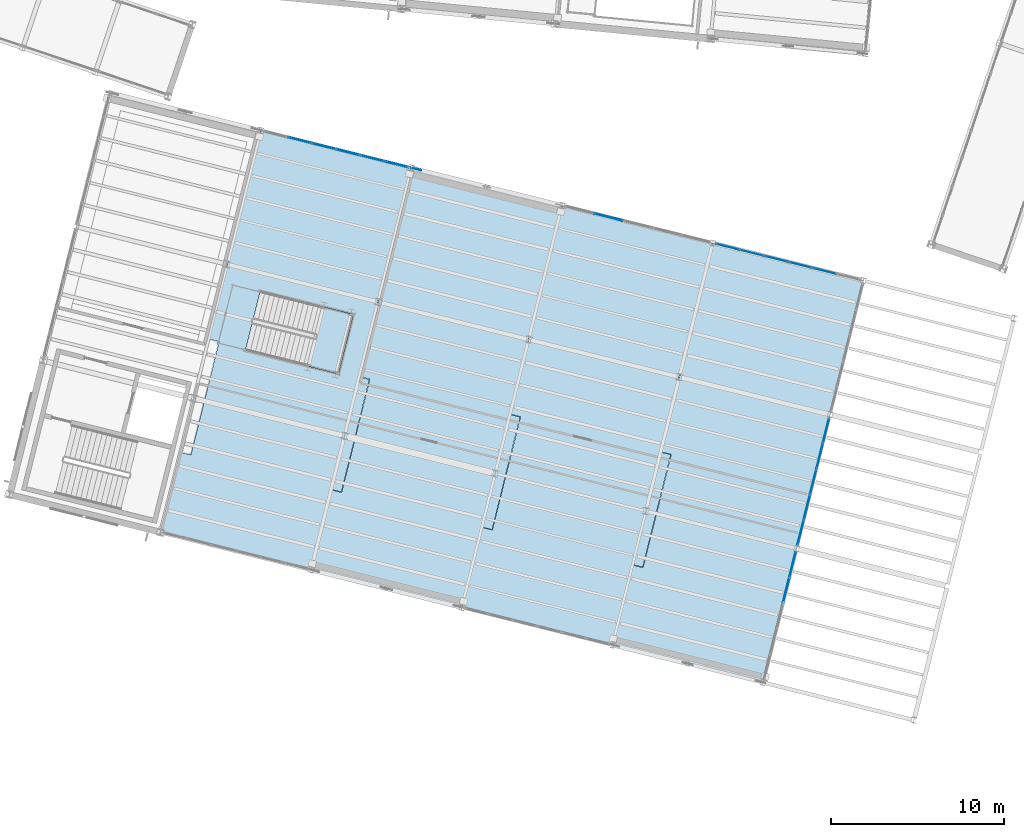
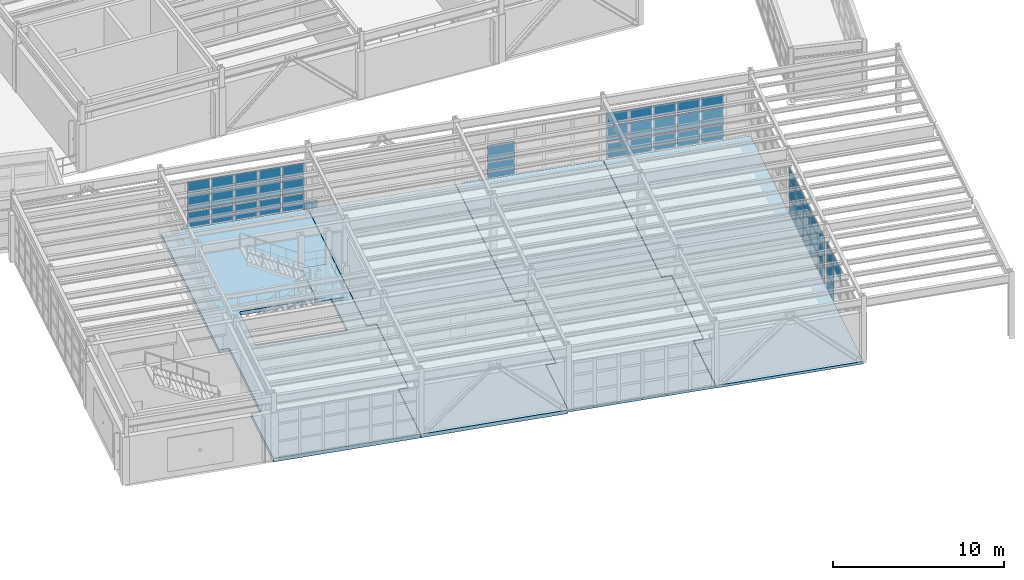
# One storey, part 63 of 102: 52 plates, 5 slabs, 6 elements without a shape of their own.
"""IFC4 building model written with IfcOpenShell, lengths in metres."""

from ifc_helpers import new_model, si_unit, direction, frame, origin, origin_2d, place, context, subcontext, project, spatial, polyline, rectangle, outline, extrude, material, layer, layer_set, type_object, element, aggregate, save


model = new_model("IFC4")

# Units and contexts
model_context = context("Model", 3, precision=1e-05, world=origin(), true_north=direction((0.0, 1.0)))
body_context = subcontext(model_context, "Body", "Model", "MODEL_VIEW")
ifc_project = project(units=[si_unit("LENGTHUNIT", "METRE"), si_unit("AREAUNIT", "SQUARE_METRE"), si_unit("VOLUMEUNIT", "CUBIC_METRE"), si_unit("PLANEANGLEUNIT", "RADIAN"), si_unit("MASSUNIT", "GRAM", prefix="KILO")], contexts=[model_context])

# Site, building, storey
site_placement = place(None, origin())
site = spatial("IfcSite", under=ifc_project, at=site_placement, CompositionType="ELEMENT")
building_placement = place(site_placement, origin())
building = spatial("IfcBuilding", under=site, at=building_placement, Name="Vireo Bluff Cable Station", CompositionType="ELEMENT")
storey_placement = place(building_placement, frame((0.0, 0.0, 9.60009765625)))
storey = spatial("IfcBuildingStorey", under=building, at=storey_placement, Name="L02", CompositionType="ELEMENT", Elevation=9.60009765625)

# Curtain wall, plates
ifc_material_1 = material(Name="Anodized Aluminium 6063-T6", Category="aluminium")
ifc_layer_1 = layer(ifc_material_1, 0.179931640625, Name="Anodized Aluminium 6063-T6")
ifc_layer_set_1 = layer_set([ifc_layer_1], Name="Anodized Aluminium 6063-T6")
curtain_wall_type_1 = type_object("IfcCurtainWallType", Name="CW-UNIT-1400", PredefinedType="USERDEFINED", material=ifc_layer_set_1)
curtain_wall_1_placement = place(storey_placement, origin())
curtain_wall_1 = element("IfcCurtainWall", 1, at=curtain_wall_1_placement, inside=storey, type_object=curtain_wall_type_1, Name="V1 L02 north curtain wall CW-015", ObjectType="UNITISED CURTAIN WALL", PredefinedType="USERDEFINED")
ifc_material_2 = material(Name="Laminated Low-E Insulated Glass", Category="glass")
ifc_layer_2 = layer(ifc_material_2, 0.028076171875, Name="Laminated Low-E Insulated Glass")
ifc_layer_set_2 = layer_set([ifc_layer_2], Name="Laminated Low-E Insulated Glass")
plate_type_1 = type_object("IfcPlateType", Name="CWP-28-1", PredefinedType="CURTAIN_PANEL", material=ifc_layer_set_2)
plate_1_placement = place(storey_placement, frame((95.5859375, 52.3662109375, 0.080078125), z_axis=(0.0, 0.0, 1.0), x_axis=(0.970295736701, -0.241921853788, 0.0)))
plate_1 = element("IfcPlate", 2, at=plate_1_placement, type_object=plate_type_1, Name="CW-015 panel 1.1", PredefinedType="CURTAIN_PANEL", context=body_context, shape_type="SweptSolid", body=[
    extrude(rectangle(XDim=1.33203125, YDim=0.028076171875, at=origin_2d()), origin(), (0.0, 0.0, 1.0), 1.070068359375),
])
plate_2_placement = place(storey_placement, frame((95.5859375, 52.3662109375, 1.22998046875), z_axis=(0.0, 0.0, 1.0), x_axis=(0.970295736701, -0.241921853788, 0.0)))
plate_2 = element("IfcPlate", 3, at=plate_2_placement, type_object=plate_type_1, Name="CW-015 panel 1.2", PredefinedType="CURTAIN_PANEL", context=body_context, shape_type="SweptSolid", body=[
    extrude(rectangle(XDim=1.33203125, YDim=0.028076171875, at=origin_2d()), origin(), (0.0, 0.0, 1.0), 1.177978515625),
])
plate_3_placement = place(storey_placement, frame((95.5859375, 52.3662109375, 2.48779296875), z_axis=(0.0, 0.0, 1.0), x_axis=(0.970295736701, -0.241921853788, 0.0)))
plate_3 = element("IfcPlate", 4, at=plate_3_placement, type_object=plate_type_1, Name="CW-015 panel 1.3", PredefinedType="CURTAIN_PANEL", context=body_context, shape_type="SweptSolid", body=[
    extrude(rectangle(XDim=1.33203125, YDim=0.028076171875, at=origin_2d()), origin(), (0.0, 0.0, 1.0), 0.83203125),
])
plate_4_placement = place(storey_placement, frame((96.975341796875, 52.019775390625, 0.080078125), z_axis=(0.0, 0.0, 1.0), x_axis=(0.970295736701, -0.241921853788, 0.0)))
plate_4 = element("IfcPlate", 5, at=plate_4_placement, type_object=plate_type_1, Name="CW-015 panel 2.1", PredefinedType="CURTAIN_PANEL", context=body_context, shape_type="SweptSolid", body=[
    extrude(rectangle(XDim=1.3720703125, YDim=0.028076171875, at=origin_2d()), origin(), (0.0, 0.0, 1.0), 1.070068359375),
])
plate_5_placement = place(storey_placement, frame((96.975341796875, 52.019775390625, 1.22998046875), z_axis=(0.0, 0.0, 1.0), x_axis=(0.970295736701, -0.241921853788, 0.0)))
plate_5 = element("IfcPlate", 6, at=plate_5_placement, type_object=plate_type_1, Name="CW-015 panel 2.2", PredefinedType="CURTAIN_PANEL", context=body_context, shape_type="SweptSolid", body=[
    extrude(rectangle(XDim=1.3720703125, YDim=0.028076171875, at=origin_2d()), origin(), (0.0, 0.0, 1.0), 1.177978515625),
])
plate_6_placement = place(storey_placement, frame((96.975341796875, 52.019775390625, 2.48779296875), z_axis=(0.0, 0.0, 1.0), x_axis=(0.970295736701, -0.241921853788, 0.0)))
plate_6 = element("IfcPlate", 7, at=plate_6_placement, type_object=plate_type_1, Name="CW-015 panel 2.3", PredefinedType="CURTAIN_PANEL", context=body_context, shape_type="SweptSolid", body=[
    extrude(rectangle(XDim=1.3720703125, YDim=0.028076171875, at=origin_2d()), origin(), (0.0, 0.0, 1.0), 0.83203125),
])
plate_7_placement = place(storey_placement, frame((98.38427734375, 51.66845703125, 0.080078125), z_axis=(0.0, 0.0, 1.0), x_axis=(0.970295736701, -0.241921853788, 0.0)))
plate_7 = element("IfcPlate", 8, at=plate_7_placement, type_object=plate_type_1, Name="CW-015 panel 3.1", PredefinedType="CURTAIN_PANEL", context=body_context, shape_type="SweptSolid", body=[
    extrude(rectangle(XDim=1.3720703125, YDim=0.028076171875, at=origin_2d()), origin(), (0.0, 0.0, 1.0), 1.070068359375),
])
plate_8_placement = place(storey_placement, frame((98.38427734375, 51.66845703125, 1.22998046875), z_axis=(0.0, 0.0, 1.0), x_axis=(0.970295736701, -0.241921853788, 0.0)))
plate_8 = element("IfcPlate", 9, at=plate_8_placement, type_object=plate_type_1, Name="CW-015 panel 3.2", PredefinedType="CURTAIN_PANEL", context=body_context, shape_type="SweptSolid", body=[
    extrude(rectangle(XDim=1.3720703125, YDim=0.028076171875, at=origin_2d()), origin(), (0.0, 0.0, 1.0), 1.177978515625),
])
plate_9_placement = place(storey_placement, frame((98.38427734375, 51.66845703125, 2.48779296875), z_axis=(0.0, 0.0, 1.0), x_axis=(0.970295736701, -0.241921853788, 0.0)))
plate_9 = element("IfcPlate", 10, at=plate_9_placement, type_object=plate_type_1, Name="CW-015 panel 3.3", PredefinedType="CURTAIN_PANEL", context=body_context, shape_type="SweptSolid", body=[
    extrude(rectangle(XDim=1.3720703125, YDim=0.028076171875, at=origin_2d()), origin(), (0.0, 0.0, 1.0), 0.83203125),
])
plate_10_placement = place(storey_placement, frame((99.793212890625, 51.317138671875, 0.080078125), z_axis=(0.0, 0.0, 1.0), x_axis=(0.970295736701, -0.241921853788, 0.0)))
plate_10 = element("IfcPlate", 11, at=plate_10_placement, type_object=plate_type_1, Name="CW-015 panel 4.1", PredefinedType="CURTAIN_PANEL", context=body_context, shape_type="SweptSolid", body=[
    extrude(rectangle(XDim=1.3720703125, YDim=0.028076171875, at=origin_2d()), origin(), (0.0, 0.0, 1.0), 1.070068359375),
])
plate_11_placement = place(storey_placement, frame((99.793212890625, 51.317138671875, 1.22998046875), z_axis=(0.0, 0.0, 1.0), x_axis=(0.970295736701, -0.241921853788, 0.0)))
plate_11 = element("IfcPlate", 12, at=plate_11_placement, type_object=plate_type_1, Name="CW-015 panel 4.2", PredefinedType="CURTAIN_PANEL", context=body_context, shape_type="SweptSolid", body=[
    extrude(rectangle(XDim=1.3720703125, YDim=0.028076171875, at=origin_2d()), origin(), (0.0, 0.0, 1.0), 1.177978515625),
])
plate_12_placement = place(storey_placement, frame((99.793212890625, 51.317138671875, 2.48779296875), z_axis=(0.0, 0.0, 1.0), x_axis=(0.970295736701, -0.241921853788, 0.0)))
plate_12 = element("IfcPlate", 13, at=plate_12_placement, type_object=plate_type_1, Name="CW-015 panel 4.3", PredefinedType="CURTAIN_PANEL", context=body_context, shape_type="SweptSolid", body=[
    extrude(rectangle(XDim=1.3720703125, YDim=0.028076171875, at=origin_2d()), origin(), (0.0, 0.0, 1.0), 0.83203125),
])
plate_13_placement = place(storey_placement, frame((101.2021484375, 50.9658203125, 0.080078125), z_axis=(0.0, 0.0, 1.0), x_axis=(0.970295736701, -0.241921853788, 0.0)))
plate_13 = element("IfcPlate", 14, at=plate_13_placement, type_object=plate_type_1, Name="CW-015 panel 5.1", PredefinedType="CURTAIN_PANEL", context=body_context, shape_type="SweptSolid", body=[
    extrude(rectangle(XDim=1.3720703125, YDim=0.028076171875, at=origin_2d()), origin(), (0.0, 0.0, 1.0), 1.070068359375),
])
plate_14_placement = place(storey_placement, frame((101.2021484375, 50.9658203125, 1.22998046875), z_axis=(0.0, 0.0, 1.0), x_axis=(0.970295736701, -0.241921853788, 0.0)))
plate_14 = element("IfcPlate", 15, at=plate_14_placement, type_object=plate_type_1, Name="CW-015 panel 5.2", PredefinedType="CURTAIN_PANEL", context=body_context, shape_type="SweptSolid", body=[
    extrude(rectangle(XDim=1.3720703125, YDim=0.028076171875, at=origin_2d()), origin(), (0.0, 0.0, 1.0), 1.177978515625),
])
plate_15_placement = place(storey_placement, frame((101.2021484375, 50.9658203125, 2.48779296875), z_axis=(0.0, 0.0, 1.0), x_axis=(0.970295736701, -0.241921853788, 0.0)))
plate_15 = element("IfcPlate", 16, at=plate_15_placement, type_object=plate_type_1, Name="CW-015 panel 5.3", PredefinedType="CURTAIN_PANEL", context=body_context, shape_type="SweptSolid", body=[
    extrude(rectangle(XDim=1.3720703125, YDim=0.028076171875, at=origin_2d()), origin(), (0.0, 0.0, 1.0), 0.83203125),
])
aggregate(curtain_wall_1, [plate_1, plate_2, plate_3, plate_4, plate_5, plate_6, plate_7, plate_8, plate_9, plate_10, plate_11, plate_12, plate_13, plate_14, plate_15])

ifc_layer_3 = layer(ifc_material_1, 0.179931640625, Name="Anodized Aluminium 6063-T6")
ifc_layer_set_3 = layer_set([ifc_layer_3], Name="Anodized Aluminium 6063-T6")
curtain_wall_type_2 = type_object("IfcCurtainWallType", Name="CW-UNIT-1650", PredefinedType="USERDEFINED", material=ifc_layer_set_3)
curtain_wall_2_placement = place(storey_placement, origin())
curtain_wall_2 = element("IfcCurtainWall", 17, at=curtain_wall_2_placement, inside=storey, type_object=curtain_wall_type_2, Name="V1 L02 east curtain wall CW-017", ObjectType="UNITISED CURTAIN WALL", PredefinedType="USERDEFINED")
ifc_layer_4 = layer(ifc_material_2, 0.035888671875, Name="Laminated Low-E Insulated Glass")
ifc_layer_set_4 = layer_set([ifc_layer_4], Name="Laminated Low-E Insulated Glass")
plate_type_2 = type_object("IfcPlateType", Name="CWP-36-3", PredefinedType="CURTAIN_PANEL", material=ifc_layer_set_4)
plate_16_placement = place(storey_placement, frame((101.304443359375, 41.71728515625, 0.0751953125), z_axis=(0.0, 0.0, 1.0), x_axis=(-0.241921872517, -0.970295732031, 0.0)))
plate_16 = element("IfcPlate", 18, at=plate_16_placement, type_object=plate_type_2, Name="CW-017 panel 1.1", PredefinedType="CURTAIN_PANEL", context=body_context, shape_type="SweptSolid", body=[
    extrude(rectangle(XDim=1.421142578125, YDim=0.035888671875, at=origin_2d()), origin(), (0.0, 0.0, 1.0), 1.077392578125),
])
plate_17_placement = place(storey_placement, frame((101.304443359375, 41.71728515625, 1.227294921875), z_axis=(0.0, 0.0, 1.0), x_axis=(-0.241921872517, -0.970295732031, 0.0)))
plate_17 = element("IfcPlate", 19, at=plate_17_placement, type_object=plate_type_2, Name="CW-017 panel 1.2", PredefinedType="CURTAIN_PANEL", context=body_context, shape_type="SweptSolid", body=[
    extrude(rectangle(XDim=1.421142578125, YDim=0.035888671875, at=origin_2d()), origin(), (0.0, 0.0, 1.0), 1.18310546875),
])
plate_18_placement = place(storey_placement, frame((101.304443359375, 41.71728515625, 2.4853515625), z_axis=(0.0, 0.0, 1.0), x_axis=(-0.241921872517, -0.970295732031, 0.0)))
plate_18 = element("IfcPlate", 20, at=plate_18_placement, type_object=plate_type_2, Name="CW-017 panel 1.3", PredefinedType="CURTAIN_PANEL", context=body_context, shape_type="SweptSolid", body=[
    extrude(rectangle(XDim=1.421142578125, YDim=0.035888671875, at=origin_2d()), origin(), (0.0, 0.0, 1.0), 0.839599609375),
])
plate_19_placement = place(storey_placement, frame((100.93798828125, 40.24755859375, 0.0751953125), z_axis=(0.0, 0.0, 1.0), x_axis=(-0.241921872517, -0.970295732031, 0.0)))
plate_19 = element("IfcPlate", 21, at=plate_19_placement, type_object=plate_type_2, Name="CW-017 panel 2.1", PredefinedType="CURTAIN_PANEL", context=body_context, shape_type="SweptSolid", body=[
    extrude(rectangle(XDim=1.45849609375, YDim=0.035888671875, at=origin_2d()), origin(), (0.0, 0.0, 1.0), 1.077392578125),
])
plate_20_placement = place(storey_placement, frame((100.93798828125, 40.24755859375, 1.227294921875), z_axis=(0.0, 0.0, 1.0), x_axis=(-0.241921872517, -0.970295732031, 0.0)))
plate_20 = element("IfcPlate", 22, at=plate_20_placement, type_object=plate_type_2, Name="CW-017 panel 2.2", PredefinedType="CURTAIN_PANEL", context=body_context, shape_type="SweptSolid", body=[
    extrude(rectangle(XDim=1.45849609375, YDim=0.035888671875, at=origin_2d()), origin(), (0.0, 0.0, 1.0), 1.18310546875),
])
plate_21_placement = place(storey_placement, frame((100.93798828125, 40.24755859375, 2.4853515625), z_axis=(0.0, 0.0, 1.0), x_axis=(-0.241921872517, -0.970295732031, 0.0)))
plate_21 = element("IfcPlate", 23, at=plate_21_placement, type_object=plate_type_2, Name="CW-017 panel 2.3", PredefinedType="CURTAIN_PANEL", context=body_context, shape_type="SweptSolid", body=[
    extrude(rectangle(XDim=1.45849609375, YDim=0.035888671875, at=origin_2d()), origin(), (0.0, 0.0, 1.0), 0.839599609375),
])
plate_22_placement = place(storey_placement, frame((100.56689453125, 38.759521484375, 0.0751953125), z_axis=(0.0, 0.0, 1.0), x_axis=(-0.241921872517, -0.970295732031, 0.0)))
plate_22 = element("IfcPlate", 24, at=plate_22_placement, type_object=plate_type_2, Name="CW-017 panel 3.1", PredefinedType="CURTAIN_PANEL", context=body_context, shape_type="SweptSolid", body=[
    extrude(rectangle(XDim=1.45849609375, YDim=0.035888671875, at=origin_2d()), origin(), (0.0, 0.0, 1.0), 1.077392578125),
])
plate_23_placement = place(storey_placement, frame((100.56689453125, 38.759521484375, 1.227294921875), z_axis=(0.0, 0.0, 1.0), x_axis=(-0.241921872517, -0.970295732031, 0.0)))
plate_23 = element("IfcPlate", 25, at=plate_23_placement, type_object=plate_type_2, Name="CW-017 panel 3.2", PredefinedType="CURTAIN_PANEL", context=body_context, shape_type="SweptSolid", body=[
    extrude(rectangle(XDim=1.45849609375, YDim=0.035888671875, at=origin_2d()), origin(), (0.0, 0.0, 1.0), 1.18310546875),
])
plate_24_placement = place(storey_placement, frame((100.56689453125, 38.759521484375, 2.4853515625), z_axis=(0.0, 0.0, 1.0), x_axis=(-0.241921872517, -0.970295732031, 0.0)))
plate_24 = element("IfcPlate", 26, at=plate_24_placement, type_object=plate_type_2, Name="CW-017 panel 3.3", PredefinedType="CURTAIN_PANEL", context=body_context, shape_type="SweptSolid", body=[
    extrude(rectangle(XDim=1.45849609375, YDim=0.035888671875, at=origin_2d()), origin(), (0.0, 0.0, 1.0), 0.839599609375),
])
plate_25_placement = place(storey_placement, frame((100.196044921875, 37.271484375, 0.0751953125), z_axis=(0.0, 0.0, 1.0), x_axis=(-0.241921872517, -0.970295732031, 0.0)))
plate_25 = element("IfcPlate", 27, at=plate_25_placement, type_object=plate_type_2, Name="CW-017 panel 4.1", PredefinedType="CURTAIN_PANEL", context=body_context, shape_type="SweptSolid", body=[
    extrude(rectangle(XDim=1.45849609375, YDim=0.035888671875, at=origin_2d()), origin(), (0.0, 0.0, 1.0), 1.077392578125),
])
plate_26_placement = place(storey_placement, frame((100.196044921875, 37.271484375, 1.227294921875), z_axis=(0.0, 0.0, 1.0), x_axis=(-0.241921872517, -0.970295732031, 0.0)))
plate_26 = element("IfcPlate", 28, at=plate_26_placement, type_object=plate_type_2, Name="CW-017 panel 4.2", PredefinedType="CURTAIN_PANEL", context=body_context, shape_type="SweptSolid", body=[
    extrude(rectangle(XDim=1.45849609375, YDim=0.035888671875, at=origin_2d()), origin(), (0.0, 0.0, 1.0), 1.18310546875),
])
plate_27_placement = place(storey_placement, frame((100.196044921875, 37.271484375, 2.4853515625), z_axis=(0.0, 0.0, 1.0), x_axis=(-0.241921872517, -0.970295732031, 0.0)))
plate_27 = element("IfcPlate", 29, at=plate_27_placement, type_object=plate_type_2, Name="CW-017 panel 4.3", PredefinedType="CURTAIN_PANEL", context=body_context, shape_type="SweptSolid", body=[
    extrude(rectangle(XDim=1.45849609375, YDim=0.035888671875, at=origin_2d()), origin(), (0.0, 0.0, 1.0), 0.839599609375),
])
plate_28_placement = place(storey_placement, frame((99.82958984375, 35.801513671875, 0.0751953125), z_axis=(0.0, 0.0, 1.0), x_axis=(-0.241921872517, -0.970295732031, 0.0)))
plate_28 = element("IfcPlate", 30, at=plate_28_placement, type_object=plate_type_2, Name="CW-017 panel 5.1", PredefinedType="CURTAIN_PANEL", context=body_context, shape_type="SweptSolid", body=[
    extrude(rectangle(XDim=1.421142578125, YDim=0.035888671875, at=origin_2d()), origin(), (0.0, 0.0, 1.0), 1.077392578125),
])
plate_29_placement = place(storey_placement, frame((99.82958984375, 35.801513671875, 1.227294921875), z_axis=(0.0, 0.0, 1.0), x_axis=(-0.241921872517, -0.970295732031, 0.0)))
plate_29 = element("IfcPlate", 31, at=plate_29_placement, type_object=plate_type_2, Name="CW-017 panel 5.2", PredefinedType="CURTAIN_PANEL", context=body_context, shape_type="SweptSolid", body=[
    extrude(rectangle(XDim=1.421142578125, YDim=0.035888671875, at=origin_2d()), origin(), (0.0, 0.0, 1.0), 1.18310546875),
])
plate_30_placement = place(storey_placement, frame((99.82958984375, 35.801513671875, 2.4853515625), z_axis=(0.0, 0.0, 1.0), x_axis=(-0.241921872517, -0.970295732031, 0.0)))
plate_30 = element("IfcPlate", 32, at=plate_30_placement, type_object=plate_type_2, Name="CW-017 panel 5.3", PredefinedType="CURTAIN_PANEL", context=body_context, shape_type="SweptSolid", body=[
    extrude(rectangle(XDim=1.421142578125, YDim=0.035888671875, at=origin_2d()), origin(), (0.0, 0.0, 1.0), 0.839599609375),
])
aggregate(curtain_wall_2, [plate_16, plate_17, plate_18, plate_19, plate_20, plate_21, plate_22, plate_23, plate_24, plate_25, plate_26, plate_27, plate_28, plate_29, plate_30])

ifc_layer_5 = layer(ifc_material_1, 0.179931640625, Name="Anodized Aluminium 6063-T6")
ifc_layer_set_5 = layer_set([ifc_layer_5], Name="Anodized Aluminium 6063-T6")
curtain_wall_type_3 = type_object("IfcCurtainWallType", Name="CW-UNIT-1500", PredefinedType="USERDEFINED", material=ifc_layer_set_5)
curtain_wall_3_placement = place(storey_placement, origin())
curtain_wall_3 = element("IfcCurtainWall", 33, at=curtain_wall_3_placement, inside=storey, type_object=curtain_wall_type_3, Name="V1 L02 north curtain wall CW-013", ObjectType="UNITISED CURTAIN WALL", PredefinedType="USERDEFINED")
ifc_material_3 = material(Name="Insulated Spandrel Glass Panel", Category="glass")
ifc_layer_6 = layer(ifc_material_3, 0.0419921875, Name="Insulated Spandrel Glass Panel")
ifc_layer_set_6 = layer_set([ifc_layer_6], Name="Insulated Spandrel Glass Panel")
plate_type_3 = type_object("IfcPlateType", Name="CWP-42-4", PredefinedType="CURTAIN_PANEL", material=ifc_layer_set_6)
plate_31_placement = place(storey_placement, frame((70.798828125, 58.54638671875, 0.0751953125), z_axis=(0.0, 0.0, 1.0), x_axis=(0.970295722805, -0.24192190952, 0.0)))
plate_31 = element("IfcPlate", 34, at=plate_31_placement, type_object=plate_type_3, Name="CW-013 panel 2.1", PredefinedType="CURTAIN_PANEL", context=body_context, shape_type="SweptSolid", body=[
    extrude(rectangle(XDim=1.3720703125, YDim=0.0419921875, at=origin_2d()), origin(), (0.0, 0.0, 1.0), 1.077392578125),
])
plate_32_placement = place(storey_placement, frame((70.798828125, 58.54638671875, 1.227294921875), z_axis=(0.0, 0.0, 1.0), x_axis=(0.970295722805, -0.24192190952, 0.0)))
plate_32 = element("IfcPlate", 35, at=plate_32_placement, type_object=plate_type_3, Name="CW-013 panel 2.2", PredefinedType="CURTAIN_PANEL", context=body_context, shape_type="SweptSolid", body=[
    extrude(rectangle(XDim=1.3720703125, YDim=0.0419921875, at=origin_2d()), origin(), (0.0, 0.0, 1.0), 1.18310546875),
])
plate_33_placement = place(storey_placement, frame((70.798828125, 58.54638671875, 2.4853515625), z_axis=(0.0, 0.0, 1.0), x_axis=(0.970295722805, -0.24192190952, 0.0)))
plate_33 = element("IfcPlate", 36, at=plate_33_placement, type_object=plate_type_3, Name="CW-013 panel 2.3", PredefinedType="CURTAIN_PANEL", context=body_context, shape_type="SweptSolid", body=[
    extrude(rectangle(XDim=1.3720703125, YDim=0.0419921875, at=origin_2d()), origin(), (0.0, 0.0, 1.0), 0.839599609375),
])
plate_34_placement = place(storey_placement, frame((72.203125, 58.1962890625, 0.0751953125), z_axis=(0.0, 0.0, 1.0), x_axis=(0.970295722805, -0.24192190952, 0.0)))
plate_34 = element("IfcPlate", 37, at=plate_34_placement, type_object=plate_type_3, Name="CW-013 panel 3.1", PredefinedType="CURTAIN_PANEL", context=body_context, shape_type="SweptSolid", body=[
    extrude(rectangle(XDim=1.3720703125, YDim=0.0419921875, at=origin_2d()), origin(), (0.0, 0.0, 1.0), 1.077392578125),
])
plate_35_placement = place(storey_placement, frame((72.203125, 58.1962890625, 1.227294921875), z_axis=(0.0, 0.0, 1.0), x_axis=(0.970295722805, -0.24192190952, 0.0)))
plate_35 = element("IfcPlate", 38, at=plate_35_placement, type_object=plate_type_3, Name="CW-013 panel 3.2", PredefinedType="CURTAIN_PANEL", context=body_context, shape_type="SweptSolid", body=[
    extrude(rectangle(XDim=1.3720703125, YDim=0.0419921875, at=origin_2d()), origin(), (0.0, 0.0, 1.0), 1.18310546875),
])
plate_36_placement = place(storey_placement, frame((72.203125, 58.1962890625, 2.4853515625), z_axis=(0.0, 0.0, 1.0), x_axis=(0.970295722805, -0.24192190952, 0.0)))
plate_36 = element("IfcPlate", 39, at=plate_36_placement, type_object=plate_type_3, Name="CW-013 panel 3.3", PredefinedType="CURTAIN_PANEL", context=body_context, shape_type="SweptSolid", body=[
    extrude(rectangle(XDim=1.3720703125, YDim=0.0419921875, at=origin_2d()), origin(), (0.0, 0.0, 1.0), 0.839599609375),
])
plate_37_placement = place(storey_placement, frame((73.607177734375, 57.84619140625, 0.0751953125), z_axis=(0.0, 0.0, 1.0), x_axis=(0.970295722805, -0.24192190952, 0.0)))
plate_37 = element("IfcPlate", 40, at=plate_37_placement, type_object=plate_type_3, Name="CW-013 panel 4.1", PredefinedType="CURTAIN_PANEL", context=body_context, shape_type="SweptSolid", body=[
    extrude(rectangle(XDim=1.3720703125, YDim=0.0419921875, at=origin_2d()), origin(), (0.0, 0.0, 1.0), 1.077392578125),
])
plate_38_placement = place(storey_placement, frame((73.607177734375, 57.84619140625, 1.227294921875), z_axis=(0.0, 0.0, 1.0), x_axis=(0.970295722805, -0.24192190952, 0.0)))
plate_38 = element("IfcPlate", 41, at=plate_38_placement, type_object=plate_type_3, Name="CW-013 panel 4.2", PredefinedType="CURTAIN_PANEL", context=body_context, shape_type="SweptSolid", body=[
    extrude(rectangle(XDim=1.3720703125, YDim=0.0419921875, at=origin_2d()), origin(), (0.0, 0.0, 1.0), 1.18310546875),
])
plate_39_placement = place(storey_placement, frame((73.607177734375, 57.84619140625, 2.4853515625), z_axis=(0.0, 0.0, 1.0), x_axis=(0.970295722805, -0.24192190952, 0.0)))
plate_39 = element("IfcPlate", 42, at=plate_39_placement, type_object=plate_type_3, Name="CW-013 panel 4.3", PredefinedType="CURTAIN_PANEL", context=body_context, shape_type="SweptSolid", body=[
    extrude(rectangle(XDim=1.3720703125, YDim=0.0419921875, at=origin_2d()), origin(), (0.0, 0.0, 1.0), 0.839599609375),
])
plate_40_placement = place(storey_placement, frame((75.011474609375, 57.49609375, 0.0751953125), z_axis=(0.0, 0.0, 1.0), x_axis=(0.970295722805, -0.24192190952, 0.0)))
plate_40 = element("IfcPlate", 43, at=plate_40_placement, type_object=plate_type_3, Name="CW-013 panel 5.1", PredefinedType="CURTAIN_PANEL", context=body_context, shape_type="SweptSolid", body=[
    extrude(rectangle(XDim=1.3720703125, YDim=0.0419921875, at=origin_2d()), origin(), (0.0, 0.0, 1.0), 1.077392578125),
])
plate_41_placement = place(storey_placement, frame((75.011474609375, 57.49609375, 1.227294921875), z_axis=(0.0, 0.0, 1.0), x_axis=(0.970295722805, -0.24192190952, 0.0)))
plate_41 = element("IfcPlate", 44, at=plate_41_placement, type_object=plate_type_3, Name="CW-013 panel 5.2", PredefinedType="CURTAIN_PANEL", context=body_context, shape_type="SweptSolid", body=[
    extrude(rectangle(XDim=1.3720703125, YDim=0.0419921875, at=origin_2d()), origin(), (0.0, 0.0, 1.0), 1.18310546875),
])
plate_42_placement = place(storey_placement, frame((75.011474609375, 57.49609375, 2.4853515625), z_axis=(0.0, 0.0, 1.0), x_axis=(0.970295722805, -0.24192190952, 0.0)))
plate_42 = element("IfcPlate", 45, at=plate_42_placement, type_object=plate_type_3, Name="CW-013 panel 5.3", PredefinedType="CURTAIN_PANEL", context=body_context, shape_type="SweptSolid", body=[
    extrude(rectangle(XDim=1.3720703125, YDim=0.0419921875, at=origin_2d()), origin(), (0.0, 0.0, 1.0), 0.839599609375),
])
plate_43_placement = place(storey_placement, frame((76.3974609375, 57.150390625, 0.0751953125), z_axis=(0.0, 0.0, 1.0), x_axis=(0.970295722805, -0.24192190952, 0.0)))
plate_43 = element("IfcPlate", 46, at=plate_43_placement, type_object=plate_type_3, Name="CW-013 panel 6.1", PredefinedType="CURTAIN_PANEL", context=body_context, shape_type="SweptSolid", body=[
    extrude(rectangle(XDim=1.334716796875, YDim=0.0419921875, at=origin_2d()), origin(), (0.0, 0.0, 1.0), 1.077392578125),
])
plate_44_placement = place(storey_placement, frame((76.3974609375, 57.150390625, 1.227294921875), z_axis=(0.0, 0.0, 1.0), x_axis=(0.970295722805, -0.24192190952, 0.0)))
plate_44 = element("IfcPlate", 47, at=plate_44_placement, type_object=plate_type_3, Name="CW-013 panel 6.2", PredefinedType="CURTAIN_PANEL", context=body_context, shape_type="SweptSolid", body=[
    extrude(rectangle(XDim=1.334716796875, YDim=0.0419921875, at=origin_2d()), origin(), (0.0, 0.0, 1.0), 1.18310546875),
])
plate_45_placement = place(storey_placement, frame((76.3974609375, 57.150390625, 2.4853515625), z_axis=(0.0, 0.0, 1.0), x_axis=(0.970295722805, -0.24192190952, 0.0)))
plate_45 = element("IfcPlate", 48, at=plate_45_placement, type_object=plate_type_3, Name="CW-013 panel 6.3", PredefinedType="CURTAIN_PANEL", context=body_context, shape_type="SweptSolid", body=[
    extrude(rectangle(XDim=1.334716796875, YDim=0.0419921875, at=origin_2d()), origin(), (0.0, 0.0, 1.0), 0.839599609375),
])
aggregate(curtain_wall_3, [plate_31, plate_32, plate_33, plate_34, plate_35, plate_36, plate_37, plate_38, plate_39, plate_40, plate_41, plate_42, plate_43, plate_44, plate_45])

curtain_wall_4_placement = place(storey_placement, origin())
curtain_wall_4 = element("IfcCurtainWall", 49, at=curtain_wall_4_placement, inside=storey, type_object=curtain_wall_type_1, Name="V1 L02 east curtain wall CW-018", ObjectType="UNITISED CURTAIN WALL", PredefinedType="USERDEFINED")
plate_46_placement = place(storey_placement, frame((99.368896484375, 33.953857421875, 0.059814453125), z_axis=(0.0, 0.0, 1.0), x_axis=(-0.241921872517, -0.970295732031, 0.0)))
plate_46 = element("IfcPlate", 50, at=plate_46_placement, type_object=plate_type_3, Name="CW-018 panel 1.1", PredefinedType="CURTAIN_PANEL", context=body_context, shape_type="SweptSolid", body=[
    extrude(rectangle(XDim=1.443603515625, YDim=0.0419921875, at=origin_2d()), origin(), (0.0, 0.0, 1.0), 1.10009765625),
])
plate_47_placement = place(storey_placement, frame((99.368896484375, 33.953857421875, 1.2197265625), z_axis=(0.0, 0.0, 1.0), x_axis=(-0.241921872517, -0.970295732031, 0.0)))
plate_47 = element("IfcPlate", 51, at=plate_47_placement, type_object=plate_type_3, Name="CW-018 panel 1.2", PredefinedType="CURTAIN_PANEL", context=body_context, shape_type="SweptSolid", body=[
    extrude(rectangle(XDim=1.443603515625, YDim=0.0419921875, at=origin_2d()), origin(), (0.0, 0.0, 1.0), 1.197998046875),
])
plate_48_placement = place(storey_placement, frame((99.368896484375, 33.953857421875, 2.47802734375), z_axis=(0.0, 0.0, 1.0), x_axis=(-0.241921872517, -0.970295732031, 0.0)))
plate_48 = element("IfcPlate", 52, at=plate_48_placement, type_object=plate_type_3, Name="CW-018 panel 1.3", PredefinedType="CURTAIN_PANEL", context=body_context, shape_type="SweptSolid", body=[
    extrude(rectangle(XDim=1.443603515625, YDim=0.0419921875, at=origin_2d()), origin(), (0.0, 0.0, 1.0), 0.862060546875),
])
plate_49_placement = place(storey_placement, frame((99.00146484375, 32.480224609375, 2.47802734375), z_axis=(0.0, 0.0, 1.0), x_axis=(-0.241921872517, -0.970295732031, 0.0)))
plate_49 = element("IfcPlate", 53, at=plate_49_placement, type_object=plate_type_3, Name="CW-018 panel 2.3", PredefinedType="CURTAIN_PANEL", context=body_context, shape_type="SweptSolid", body=[
    extrude(rectangle(XDim=1.4736328125, YDim=0.0419921875, at=origin_2d()), origin(), (0.0, 0.0, 1.0), 0.862060546875),
])
aggregate(curtain_wall_4, [plate_46, plate_47, plate_48, plate_49])

curtain_wall_5_placement = place(storey_placement, origin())
curtain_wall_5 = element("IfcCurtainWall", 54, at=curtain_wall_5_placement, inside=storey, type_object=curtain_wall_type_2, Name="V1 L02 north curtain wall CW-014", ObjectType="UNITISED CURTAIN WALL", PredefinedType="USERDEFINED")
ifc_layer_7 = layer(ifc_material_3, 0.048095703125, Name="Insulated Spandrel Glass Panel")
ifc_layer_set_7 = layer_set([ifc_layer_7], Name="Insulated Spandrel Glass Panel")
plate_type_4 = type_object("IfcPlateType", Name="CWP-48-5", PredefinedType="CURTAIN_PANEL", material=ifc_layer_set_7)
plate_50_placement = place(storey_placement, frame((88.694091796875, 54.08447265625, 0.059814453125), z_axis=(0.0, 0.0, 1.0), x_axis=(0.970295709758, -0.241921961849, 0.0)))
plate_50 = element("IfcPlate", 55, at=plate_50_placement, type_object=plate_type_4, Name="CW-014 panel 2.1", PredefinedType="CURTAIN_PANEL", context=body_context, shape_type="SweptSolid", body=[
    extrude(rectangle(XDim=1.6826171875, YDim=0.048095703125, at=origin_2d()), origin(), (0.0, 0.0, 1.0), 1.10009765625),
])
plate_51_placement = place(storey_placement, frame((88.694091796875, 54.08447265625, 1.2197265625), z_axis=(0.0, 0.0, 1.0), x_axis=(0.970295709758, -0.241921961849, 0.0)))
plate_51 = element("IfcPlate", 56, at=plate_51_placement, type_object=plate_type_4, Name="CW-014 panel 2.2", PredefinedType="CURTAIN_PANEL", context=body_context, shape_type="SweptSolid", body=[
    extrude(rectangle(XDim=1.6826171875, YDim=0.048095703125, at=origin_2d()), origin(), (0.0, 0.0, 1.0), 1.197998046875),
])
aggregate(curtain_wall_5, [plate_50, plate_51])

# Slabs
ifc_material_4 = material(Name="Concrete f'c 40 MPa", Category="concrete")
ifc_layer_8 = layer(ifc_material_4, 0.159912109375, Name="Concrete f'c 40 MPa")
ifc_layer_set_8 = layer_set([ifc_layer_8], Name="Concrete f'c 40 MPa")
slab_type_1 = type_object("IfcSlabType", Name="FLOORSLAB-160", PredefinedType="FLOOR", material=ifc_layer_set_8)
slab_1_placement = place(storey_placement, frame((0.0, 0.0, -0.16015625)))
element("IfcSlab", 57, at=slab_1_placement, inside=storey, type_object=slab_type_1, Name="V1 L02 floor slab bay 4", PredefinedType="FLOOR", context=body_context, shape_type="SweptSolid", body=[
    extrude(outline(polyline([(80.207763671875, 31.465576171875), (88.9208984375, 29.293212890625), (90.082275390625, 33.95068359375), (90.683837890625, 33.800537109375), (92.3095703125, 40.321044921875), (91.707763671875, 40.470947265625), (94.72705078125, 52.580322265625), (86.013916015625, 54.752685546875), (82.99951171875, 42.662841796875), (83.60107421875, 42.512939453125), (81.965576171875, 35.95361328125), (81.364013671875, 36.103759765625), (80.207763671875, 31.465576171875)])), origin(), (0.0, 0.0, 1.0), 0.16015625),
])
ifc_layer_9 = layer(ifc_material_4, 0.179931640625, Name="Concrete f'c 40 MPa")
ifc_layer_set_9 = layer_set([ifc_layer_9], Name="Concrete f'c 40 MPa")
slab_type_2 = type_object("IfcSlabType", Name="FLOORSLAB-180", PredefinedType="FLOOR", material=ifc_layer_set_9)
slab_2_placement = place(storey_placement, frame((0.0, 0.0, -0.18017578125)))
element("IfcSlab", 58, at=slab_2_placement, inside=storey, type_object=slab_type_2, Name="V1 L02 floor slab bay 5", PredefinedType="FLOOR", context=body_context, shape_type="SweptSolid", body=[
    extrude(outline(polyline([(88.9404296875, 29.288330078125), (97.663330078125, 27.113525390625), (103.469482421875, 50.400634765625), (94.74658203125, 52.575439453125), (91.732177734375, 40.485595703125), (92.333740234375, 40.335693359375), (90.6982421875, 33.7763671875), (90.0966796875, 33.926513671875), (88.9404296875, 29.288330078125)])), origin(), (0.0, 0.0, 1.0), 0.18017578125),
])
ifc_layer_10 = layer(ifc_material_4, 0.260009765625, Name="Concrete f'c 40 MPa")
ifc_layer_set_10 = layer_set([ifc_layer_10], Name="Concrete f'c 40 MPa")
slab_type_3 = type_object("IfcSlabType", Name="FLOORSLAB-260", PredefinedType="FLOOR", material=ifc_layer_set_10)
slab_3_placement = place(storey_placement, frame((0.0, 0.0, -0.260009765625)))
element("IfcSlab", 59, at=slab_3_placement, inside=storey, type_object=slab_type_3, Name="V1 L02 floor slab bay 2", PredefinedType="FLOOR", context=body_context, shape_type="SweptSolid", body=[
    extrude(outline(polyline([(62.742431640625, 35.8203125), (71.45556640625, 33.647705078125), (72.616943359375, 38.30517578125), (73.218505859375, 38.1552734375), (74.84423828125, 44.675537109375), (74.24267578125, 44.82568359375), (77.26171875, 56.934814453125), (68.548583984375, 59.107421875), (65.5341796875, 47.017578125), (66.1357421875, 46.867431640625), (64.500244140625, 40.308349609375), (63.898681640625, 40.458251953125), (62.742431640625, 35.8203125)]), holes=[polyline([(67.6552734375, 46.34521484375), (68.51611328125, 49.7978515625), (73.919189453125, 48.45068359375), (73.058349609375, 44.998046875), (67.6552734375, 46.34521484375)])]), origin(), (0.0, 0.0, 1.0), 0.260009765625),
])
slab_4_placement = place(storey_placement, frame((0.0, 0.0, -0.260009765625)))
element("IfcSlab", 60, at=slab_4_placement, inside=storey, type_object=slab_type_3, Name="V1 L02 floor slab bay 3", PredefinedType="FLOOR", context=body_context, shape_type="SweptSolid", body=[
    extrude(outline(polyline([(71.47509765625, 33.64306640625), (80.188232421875, 31.470458984375), (81.349609375, 36.1279296875), (81.951171875, 35.97802734375), (83.576904296875, 42.498291015625), (82.975341796875, 42.6484375), (85.994384765625, 54.757568359375), (77.28125, 56.93017578125), (74.266845703125, 44.840087890625), (74.868408203125, 44.690185546875), (73.23291015625, 38.131103515625), (72.63134765625, 38.281005859375), (71.47509765625, 33.64306640625)])), origin(), (0.0, 0.0, 1.0), 0.260009765625),
])

# Plate
ifc_material_5 = material(Name="Steel ASTM A572 Gr. 50", Category="steel")
ifc_layer_11 = layer(ifc_material_5, 0.035888671875, Name="Steel ASTM A572 Gr. 50")
ifc_layer_set_11 = layer_set([ifc_layer_11], Name="Steel ASTM A572 Gr. 50")
plate_type_5 = type_object("IfcPlateType", Name="GUSSET-840X580X36", PredefinedType="USERDEFINED", material=ifc_layer_set_11)
plate_52_placement = place(storey_placement, frame((77.4267578125, 56.893798828125, -0.070068359375), z_axis=(0.0, 0.0, 1.0), x_axis=(0.970295726276, -0.2419218956, 0.0)))
element("IfcPlate", 61, at=plate_52_placement, inside=storey, type_object=plate_type_5, Name="V1 L02 brace base gusset plate 39", ObjectType="GUSSET PLATE", PredefinedType="USERDEFINED", context=body_context, shape_type="SweptSolid", body=[
    extrude(rectangle(XDim=0.840087890625, YDim=0.035888671875, at=origin_2d()), origin(), (0.0, 0.0, 1.0), 0.580078125),
])

# Stair, slab
stair_type = type_object("IfcStairType", Name="STAIR-HT-1680", PredefinedType="HALF_TURN_STAIR", material=ifc_material_4)
stair_placement = place(storey_placement, origin())
stair = element("IfcStair", 62, at=stair_placement, inside=storey, type_object=stair_type, Name="L02 Feature Concourse Stair ST-10", PredefinedType="HALF_TURN_STAIR")
ifc_layer_12 = layer(ifc_material_4, 0.219970703125, Name="Concrete f'c 40 MPa")
ifc_layer_set_12 = layer_set([ifc_layer_12], Name="Concrete f'c 40 MPa")
slab_type_4 = type_object("IfcSlabType", Name="LANDING-220", PredefinedType="LANDING", material=ifc_layer_set_12)
slab_5_placement = place(storey_placement, frame((0.0, 0.0, 2.199951171875)))
slab_5 = element("IfcSlab", 63, at=slab_5_placement, type_object=slab_type_4, Name="ST-10 landing 1", PredefinedType="LANDING", context=body_context, shape_type="SweptSolid", body=[
    extrude(outline(polyline([(71.3115234375, 45.4326171875), (73.058837890625, 44.9970703125), (73.920166015625, 48.451416015625), (72.1728515625, 48.886962890625), (71.3115234375, 45.4326171875)])), origin(), (0.0, 0.0, 1.0), 0.199951171875),
])
aggregate(stair, [slab_5])

save(model, "model.ifc")
